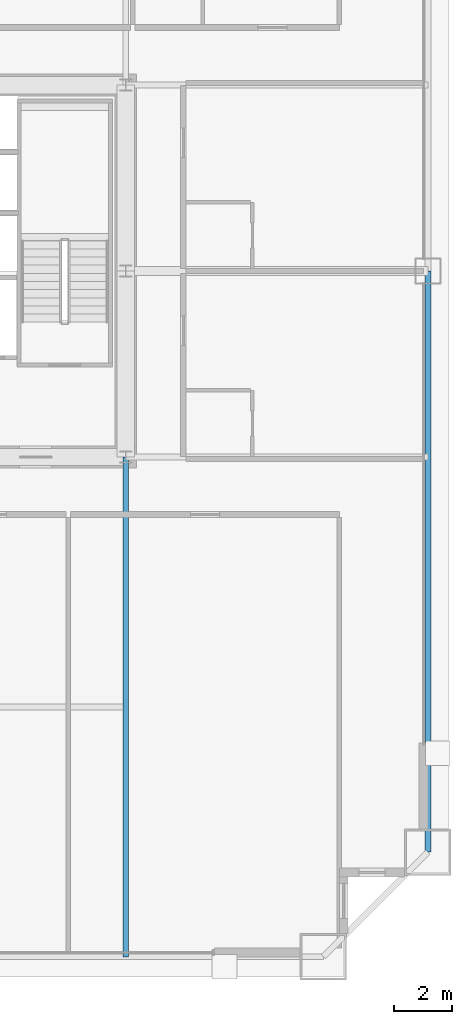
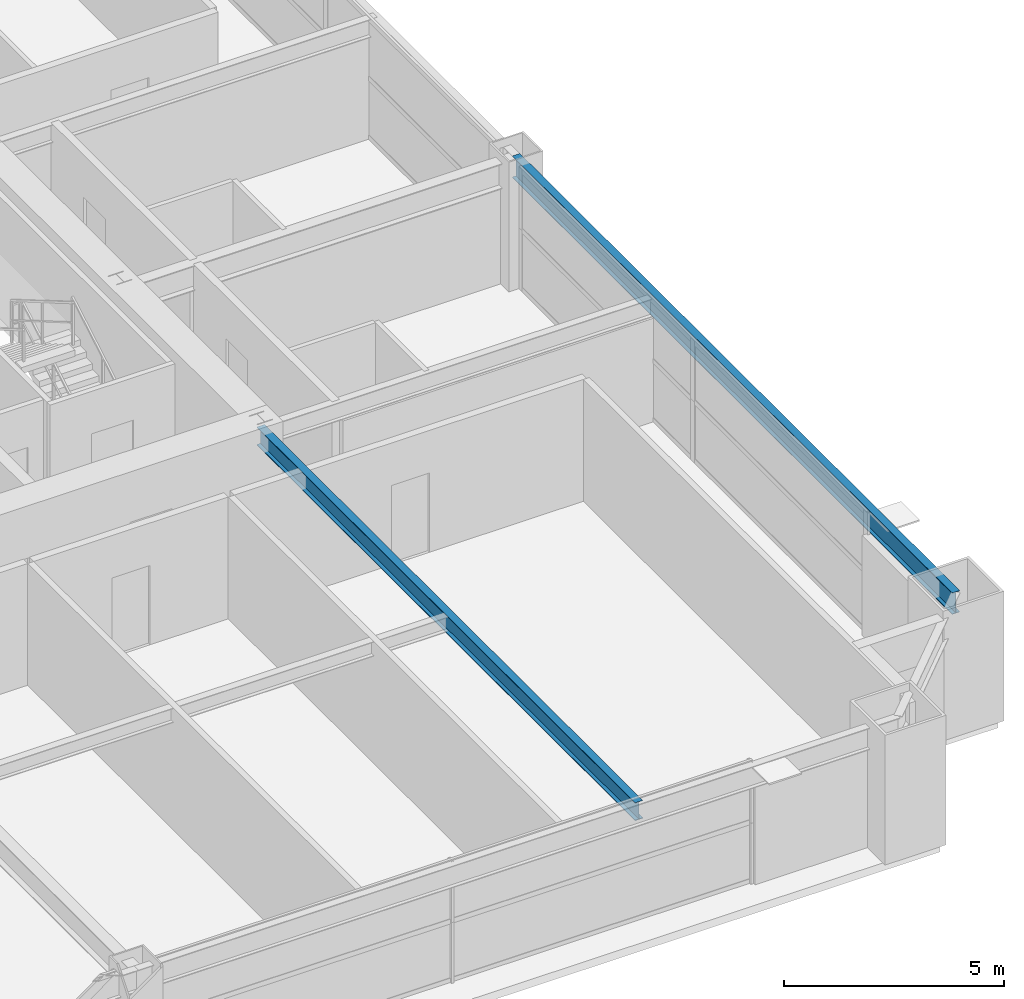
# One storey, part 17 of 39: 2 beams.
"""IFC4 building model written with IfcOpenShell, lengths in metres."""

import ifcopenshell
import ifcopenshell.guid

model = None  # the IFC model being written
_history = None  # IfcOwnerHistory: only IFC2X3 demands one
_inside = {}  # id of a spatial element -> (the spatial element, [elements in it])
_under = {}  # id of a project, library or spatial element -> (it, [spatial elements below it])
_declared = {}  # id of a project -> (the project, [libraries it declares])
_typed = {}  # id of a type object -> (the type object, [elements of that type])
_made_of = {}  # id of a material, layer set ... -> (it, [elements and type objects made of it])


def new_model(schema):
    """Start an empty IFC model of exactly this schema.

    Asked for "IFC4X3", IfcOpenShell would pick the latest addendum, in which some entities
    have other attributes; the version numbers below select the first issue.
    IFC2X3 requires an IfcOwnerHistory on every rooted entity: one is made here for all.
    """
    global model, _history
    if schema == "IFC4X3":
        model = ifcopenshell.file(schema_version=(4, 3, 0, 0))
    else:
        model = ifcopenshell.file(schema=schema)
    _inside.clear()
    _under.clear()
    _declared.clear()
    _typed.clear()
    _made_of.clear()
    _history = None
    if model.schema == "IFC2X3":
        org = make("IfcOrganization", Name="unknown")
        user = make(
            "IfcPersonAndOrganization",
            ThePerson=make("IfcPerson", FamilyName="unknown"),
            TheOrganization=org,
        )
        app = make(
            "IfcApplication",
            ApplicationDeveloper=org,
            Version="unknown",
            ApplicationFullName="unknown",
            ApplicationIdentifier="unknown",
        )
        _history = make(
            "IfcOwnerHistory",
            OwningUser=user,
            OwningApplication=app,
            ChangeAction="ADDED",
            CreationDate=0,
        )
    return model


def make(cls, **values):
    """One entity of the class cls with the attributes given. An attribute that is None is left unset."""
    return model.create_entity(
        cls, **{name: value for name, value in values.items() if value is not None}
    )


def rooted(cls, **values):
    """An entity with a GlobalId (a new one), such as an element, a storey or a relation."""
    return make(cls, GlobalId=ifcopenshell.guid.new(), OwnerHistory=_history, **values)


def si_unit(unit_type, name, prefix=None):
    """IfcSIUnit, for example si_unit("LENGTHUNIT", "METRE", prefix="MILLI")."""
    return make("IfcSIUnit", UnitType=unit_type, Prefix=prefix, Name=name)


def assignment(units):
    """IfcUnitAssignment: the units of a project."""
    return None if units is None else make("IfcUnitAssignment", Units=units)


def point(xyz):
    """IfcCartesianPoint."""
    return None if xyz is None else make("IfcCartesianPoint", Coordinates=xyz)


def direction(xyz):
    """IfcDirection."""
    return None if xyz is None else make("IfcDirection", DirectionRatios=xyz)


def frame(location, z_axis=None, x_axis=None):
    """IfcAxis2Placement3D, a coordinate frame: its origin and axes. An axis left out is left unset."""
    return make(
        "IfcAxis2Placement3D",
        Location=point(location),
        Axis=direction(z_axis),
        RefDirection=direction(x_axis),
    )


def frame_2d(location, x_axis=None):
    """IfcAxis2Placement2D, a coordinate frame in the plane: its origin and x axis."""
    return make(
        "IfcAxis2Placement2D", Location=point(location), RefDirection=direction(x_axis)
    )


def origin():
    """The frame at (0, 0, 0) with its axes left unset."""
    return frame((0.0, 0.0, 0.0))


def origin_2d():
    """The frame at (0, 0) in the plane with its x axis left unset."""
    return frame_2d((0.0, 0.0))


def place(relative_to, where):
    """IfcLocalPlacement: puts the frame where relative to a parent placement (None: the world)."""
    return make(
        "IfcLocalPlacement", PlacementRelTo=relative_to, RelativePlacement=where
    )


def context(
    kind, dimensions, precision=None, world=None, true_north=None, identifier=None
):
    """IfcGeometricRepresentationContext, for example the 3D "Model" context."""
    return make(
        "IfcGeometricRepresentationContext",
        ContextIdentifier=identifier,
        ContextType=kind,
        CoordinateSpaceDimension=dimensions,
        Precision=precision,
        WorldCoordinateSystem=world,
        TrueNorth=true_north,
    )


def subcontext(parent, identifier, kind, view, scale=None):
    """IfcGeometricRepresentationSubContext, for example "Body" below "Model"."""
    return make(
        "IfcGeometricRepresentationSubContext",
        ContextIdentifier=identifier,
        ContextType=kind,
        ParentContext=parent,
        TargetScale=scale,
        TargetView=view,
    )


def project(units=None, contexts=None):
    """IfcProject with its units and contexts."""
    return rooted(
        "IfcProject",
        Name="project",
        RepresentationContexts=contexts,
        UnitsInContext=assignment(units),
    )


def spatial(cls, under=None, at=None, **own):
    """A site, building, storey or space (cls), placed at a placement, below another one or the project."""
    s = rooted(cls, ObjectPlacement=at, **own)
    if under is not None:
        _under.setdefault(under.id(), (under, []))[1].append(s)
    return s


def profile(cls, at=None, kind="AREA", **sizes):
    """A parametric profile (cls). Its sizes go by their IFC names, for example OverallWidth=200.0."""
    return make(cls, ProfileType=kind, Position=at, **sizes)


def i_section(**sizes):
    """IfcIShapeProfileDef."""
    return profile("IfcIShapeProfileDef", **sizes)


def extrude(swept, where, along, depth):
    """IfcExtrudedAreaSolid: the profile swept, set in the frame where, extruded along a direction by depth."""
    return make(
        "IfcExtrudedAreaSolid",
        SweptArea=swept,
        Position=where,
        ExtrudedDirection=direction(along),
        Depth=depth,
    )


def shape(context_of_items, identifier, shape_type, items):
    """IfcShapeRepresentation: the items that make up one representation, for example the "Body"."""
    return make(
        "IfcShapeRepresentation",
        ContextOfItems=context_of_items,
        RepresentationIdentifier=identifier,
        RepresentationType=shape_type,
        Items=items,
    )


def source(mapping_origin, context_of_items, identifier, shape_type, items):
    """IfcRepresentationMap: a shape defined once, which mapped items show again and again."""
    return make(
        "IfcRepresentationMap",
        MappingOrigin=mapping_origin,
        MappedRepresentation=shape(context_of_items, identifier, shape_type, items),
    )


def transform(
    local_origin,
    x_axis=None,
    y_axis=None,
    z_axis=None,
    scale=None,
    scale2=None,
    scale3=None,
    uniform=True,
):
    """IfcCartesianTransformationOperator3D, or its non-uniform kind. x_axis, y_axis, z_axis: its Axis1, 2, 3."""
    if uniform:
        return make(
            "IfcCartesianTransformationOperator3D",
            Axis1=direction(x_axis),
            Axis2=direction(y_axis),
            LocalOrigin=point(local_origin),
            Scale=scale,
            Axis3=direction(z_axis),
        )
    return make(
        "IfcCartesianTransformationOperator3DnonUniform",
        Axis1=direction(x_axis),
        Axis2=direction(y_axis),
        LocalOrigin=point(local_origin),
        Scale=scale,
        Axis3=direction(z_axis),
        Scale2=scale2,
        Scale3=scale3,
    )


def mapped(mapping_source, mapping_target):
    """IfcMappedItem: shows the shape of a source again, moved by a transform."""
    return make(
        "IfcMappedItem", MappingSource=mapping_source, MappingTarget=mapping_target
    )


def material(Name=None, Category=None):
    """IfcMaterial."""
    return make("IfcMaterial", Name=Name, Category=Category)


def material_profile(
    of_material, cross_section, Name=None, Category=None, Priority=None
):
    """IfcMaterialProfile: a cross section and its material."""
    return make(
        "IfcMaterialProfile",
        Name=Name,
        Material=of_material,
        Profile=cross_section,
        Priority=Priority,
        Category=Category,
    )


def profile_set(profiles, Name=None, composite=None):
    """IfcMaterialProfileSet."""
    return make(
        "IfcMaterialProfileSet",
        Name=Name,
        MaterialProfiles=profiles,
        CompositeProfile=composite,
    )


def made_of(thing, what):
    """Note that an element or type object is made of a material, layer set ...; save() writes the relation."""
    if what is not None:
        _made_of.setdefault(what.id(), (what, []))[1].append(thing)
    return thing


def type_object(cls, material=None, **own):
    """A type object (cls), such as IfcWallType, which elements share."""
    return made_of(rooted(cls, **own), material)


def element(
    cls,
    number,
    at=None,
    inside=None,
    cuts=None,
    type_object=None,
    material=None,
    context=None,
    identifier="Body",
    shape_type=None,
    held_by="IfcProductDefinitionShape",
    body=None,
    shapes=None,
    **own,
):
    """One element of the class cls, such as IfcWall. Its Tag is "e" and its number.

    at: its placement. inside: the storey or other place that contains it. cuts: it is an
    opening in that element (IfcRelVoidsElement). A single representation is given by context,
    identifier, shape_type and body (its items); several are given by shapes. held_by: the class
    of the entity that holds the representations. save() writes the other relations.
    """
    e = rooted(cls, Tag="e%d" % number, ObjectPlacement=at, **own)
    if body is not None:
        shapes = [shape(context, identifier, shape_type, body)]
    if shapes is not None:
        e.Representation = make(held_by, Representations=shapes)
    if inside is not None:
        _inside.setdefault(inside.id(), (inside, []))[1].append(e)
    if cuts is not None:
        rooted(
            "IfcRelVoidsElement", RelatingBuildingElement=cuts, RelatedOpeningElement=e
        )
    if type_object is not None:
        _typed.setdefault(type_object.id(), (type_object, []))[1].append(e)
    return made_of(e, material)


def aggregate(whole, parts):
    """IfcRelAggregates: a whole, such as a stair, and the parts it consists of."""
    return rooted("IfcRelAggregates", RelatingObject=whole, RelatedObjects=parts)


def save(model, path):
    """Write the relations noted so far, then the file.

    IfcRelAggregates (storeys below a building ...), IfcRelContainedInSpatialStructure (elements
    in a storey), IfcRelDefinesByType, IfcRelAssociatesMaterial and IfcRelDeclares: one each for
    every whole, place, type object, material and project.
    """
    for whole, parts in _under.values():
        aggregate(whole, parts)
    for where, things in _inside.values():
        rooted(
            "IfcRelContainedInSpatialStructure",
            RelatedElements=things,
            RelatingStructure=where,
        )
    for kind, things in _typed.values():
        rooted("IfcRelDefinesByType", RelatedObjects=things, RelatingType=kind)
    for what, things in _made_of.values():
        rooted("IfcRelAssociatesMaterial", RelatedObjects=things, RelatingMaterial=what)
    for by, libraries in _declared.values():
        rooted("IfcRelDeclares", RelatingContext=by, RelatedDefinitions=libraries)
    model.write(path)


model = new_model("IFC4")

# Units and contexts
model_context = context("Model", 3, precision=1e-05, world=origin(), true_north=direction((0.0, 1.0)))
body_context = subcontext(model_context, "Body", "Model", "MODEL_VIEW")
ifc_project = project(units=[si_unit("LENGTHUNIT", "METRE"), si_unit("AREAUNIT", "SQUARE_METRE"), si_unit("VOLUMEUNIT", "CUBIC_METRE"), si_unit("PLANEANGLEUNIT", "RADIAN"), si_unit("MASSUNIT", "GRAM", prefix="KILO"), si_unit("THERMODYNAMICTEMPERATUREUNIT", "KELVIN"), si_unit("POWERUNIT", "WATT")], contexts=[model_context])

# Site, building, storey
site_placement = place(None, origin())
site = spatial("IfcSite", under=ifc_project, at=site_placement, CompositionType="ELEMENT")
building_placement = place(site_placement, origin())
building = spatial("IfcBuilding", under=site, at=building_placement, Name="Yuzanri Waterfront Tower", CompositionType="ELEMENT")
storey_placement = place(building_placement, frame((0.0, 0.0, 141.60009765625)))
storey = spatial("IfcBuildingStorey", under=building, at=storey_placement, Name="L37", CompositionType="ELEMENT", Elevation=141.60009765625)

# Beams
ifc_material_1 = material(Name="Steel Q355B", Category="steel")
ifc_material_profile_1 = material_profile(ifc_material_1, i_section(OverallWidth=0.199951171875, OverallDepth=0.60009765625, WebThickness=0.010986328125, FlangeThickness=0.01708984375, at=origin_2d()), Name="HN 600x200x11x17")
ifc_profile_set_1 = profile_set([ifc_material_profile_1], Name="Steel Q355B")
beam_type_1 = type_object("IfcBeamType", Name="Perimeter Spandrel Q355B HN 600x200", PredefinedType="SPANDREL", material=ifc_profile_set_1)
shared_shape_1 = source(origin(), body_context, "Body", "SweptSolid", [
    extrude(i_section(OverallWidth=0.199951171875, OverallDepth=0.60009765625, WebThickness=0.010986328125, FlangeThickness=0.01708984375, at=origin_2d()), origin(), (0.0, 0.0, 1.0), 20.0),
])
beam_1_placement = place(storey_placement, frame((60.60009765625, 5.800048828125, 3.079833984375), z_axis=(0.0, 1.0, 0.0), x_axis=(-1.0, 0.0, 0.0)))
element("IfcBeam", 1, at=beam_1_placement, inside=storey, type_object=beam_type_1, Name="L37 Perimeter Spandrel E1-E2", PredefinedType="SPANDREL", context=body_context, shape_type="MappedRepresentation", body=[
    mapped(shared_shape_1, transform((0.0, 0.0, 0.0), scale=1.0)),
])
ifc_material_2 = material(Name="Steel Q355B", Category="steel")
ifc_material_profile_2 = material_profile(ifc_material_2, i_section(OverallWidth=0.199951171875, OverallDepth=0.5, WebThickness=0.010009765625, FlangeThickness=0.01611328125, at=origin_2d()), Name="HN 500x200x10x16")
ifc_profile_set_2 = profile_set([ifc_material_profile_2], Name="Steel Q355B")
beam_type_2 = type_object("IfcBeamType", Name="Secondary Floor Beam Q355B HN 500x200", PredefinedType="BEAM", material=ifc_profile_set_2)
shared_shape_2 = source(origin(), body_context, "Body", "SweptSolid", [
    extrude(i_section(OverallWidth=0.199951171875, OverallDepth=0.5, WebThickness=0.010009765625, FlangeThickness=0.01611328125, at=origin_2d()), origin(), (0.0, 0.0, 1.0), 17.199951171875),
])
beam_2_placement = place(storey_placement, frame((50.199951171875, 19.39990234375, 3.1298828125), z_axis=(0.0, -1.0, 0.0), x_axis=(1.0, 0.0, 0.0)))
element("IfcBeam", 2, at=beam_2_placement, inside=storey, type_object=beam_type_2, Name="L37 South-East Core Line Beam", PredefinedType="BEAM", context=body_context, shape_type="MappedRepresentation", body=[
    mapped(shared_shape_2, transform((0.0, 0.0, 0.0), scale=1.0)),
])

save(model, "model.ifc")
